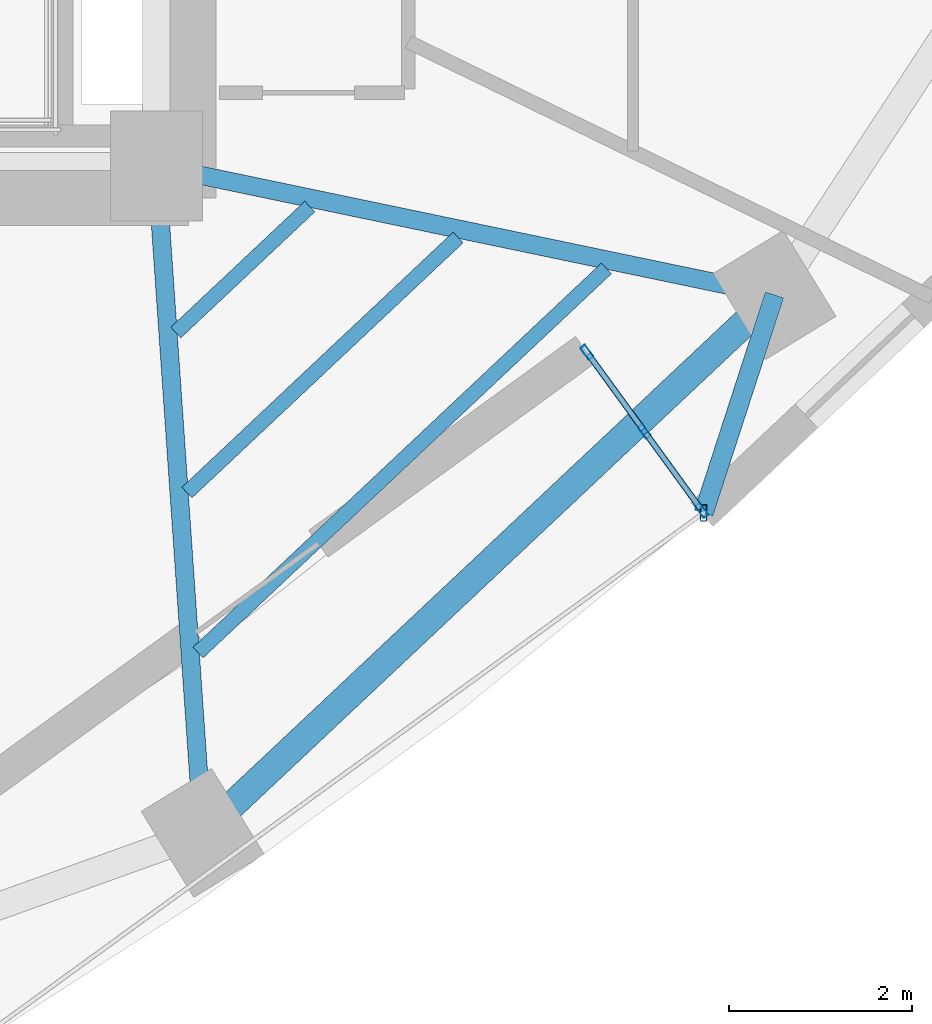
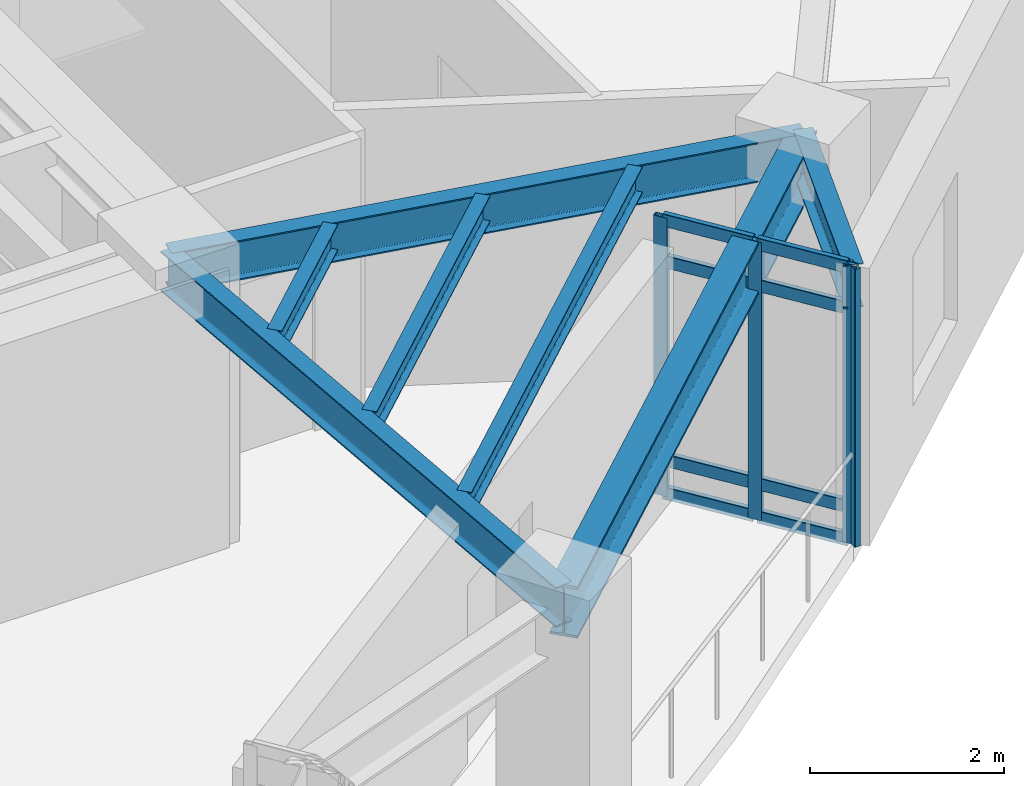
# One storey, part 3 of 11: 12 members, 7 beams, 1 element without a shape of its own.
"""IFC4 building model written with IfcOpenShell, lengths in metres."""

from ifc_helpers import new_model, si_unit, direction, frame, origin, origin_2d, place, context, subcontext, project, spatial, hollow_rectangle, i_section, extrude, material, layer, layer_set, material_profile, profile_set, type_object, element, aggregate, save


model = new_model("IFC4")

# Units and contexts
model_context = context("Model", 3, precision=1e-05, world=origin(), true_north=direction((0.0, 1.0)))
body_context = subcontext(model_context, "Body", "Model", "MODEL_VIEW")
ifc_project = project(units=[si_unit("LENGTHUNIT", "METRE"), si_unit("AREAUNIT", "SQUARE_METRE"), si_unit("VOLUMEUNIT", "CUBIC_METRE"), si_unit("PLANEANGLEUNIT", "RADIAN"), si_unit("MASSUNIT", "GRAM", prefix="KILO")], contexts=[model_context])

# Site, building, storey
site_placement = place(None, origin())
site = spatial("IfcSite", under=ifc_project, at=site_placement, CompositionType="ELEMENT")
building_placement = place(site_placement, origin())
building = spatial("IfcBuilding", under=site, at=building_placement, Name="Ndelora Gate Hotel", CompositionType="ELEMENT")
storey_placement = place(building_placement, frame((0.0, 0.0, 146.0)))
storey = spatial("IfcBuildingStorey", under=building, at=storey_placement, Name="L36", CompositionType="ELEMENT", Elevation=146.0)

# Beams
ifc_material_1 = material(Name="Steel S355", Category="steel")
ifc_material_profile_1 = material_profile(ifc_material_1, i_section(OverallWidth=0.159912109375, OverallDepth=0.330078125, WebThickness=0.007568359375, FlangeThickness=0.011474609375, FilletRadius=0.01806640625, at=origin_2d()), Name="IPE 330")
ifc_profile_set_1 = profile_set([ifc_material_profile_1], Name="Steel S355")
beam_type_1 = type_object("IfcBeamType", Name="BM-JST-330", PredefinedType="JOIST", material=ifc_profile_set_1)
beam_1_placement = place(storey_placement, frame((8.211181640625, -8.4169921875, 3.3349609375), z_axis=(0.728414088998, 0.685137150466, 0.0), x_axis=(-0.685137150466, 0.728414088998, 0.0)))
element("IfcBeam", 1, at=beam_1_placement, inside=storey, type_object=beam_type_1, Name="L36 Secondary Composite Floor Joist IN-7", PredefinedType="JOIST", context=body_context, shape_type="SweptSolid", body=[
    extrude(i_section(OverallWidth=0.159912109375, OverallDepth=0.330078125, WebThickness=0.007568359375, FlangeThickness=0.011474609375, FilletRadius=0.01806640625, at=origin_2d()), origin(), (0.0, 0.0, 1.0), 2.00830078125),
])
beam_2_placement = place(storey_placement, frame((8.33251953125, -10.163818359375, 3.3349609375), z_axis=(0.728369245526, 0.685184823366, 0.0), x_axis=(-0.685184823366, 0.728369245526, 0.0)))
element("IfcBeam", 2, at=beam_2_placement, inside=storey, type_object=beam_type_1, Name="L36 Secondary Composite Floor Joist MID-7", PredefinedType="JOIST", context=body_context, shape_type="SweptSolid", body=[
    extrude(i_section(OverallWidth=0.159912109375, OverallDepth=0.330078125, WebThickness=0.007568359375, FlangeThickness=0.011474609375, FilletRadius=0.01806640625, at=origin_2d()), origin(), (0.0, 0.0, 1.0), 4.06494140625),
])
beam_3_placement = place(storey_placement, frame((8.45361328125, -11.910400390625, 3.3349609375), z_axis=(0.728393161111, 0.68515939959, 0.0), x_axis=(-0.68515939959, 0.728393161111, 0.0)))
element("IfcBeam", 3, at=beam_3_placement, inside=storey, type_object=beam_type_1, Name="L36 Secondary Composite Floor Joist OUT-7", PredefinedType="JOIST", context=body_context, shape_type="SweptSolid", body=[
    extrude(i_section(OverallWidth=0.159912109375, OverallDepth=0.330078125, WebThickness=0.007568359375, FlangeThickness=0.011474609375, FilletRadius=0.01806640625, at=origin_2d()), origin(), (0.0, 0.0, 1.0), 6.121337890625),
])
ifc_material_profile_2 = material_profile(ifc_material_1, i_section(OverallWidth=0.199951171875, OverallDepth=0.5, WebThickness=0.01025390625, FlangeThickness=0.01611328125, FilletRadius=0.02099609375, at=origin_2d()), Name="IPE 500")
ifc_profile_set_2 = profile_set([ifc_material_profile_2], Name="Steel S355")
beam_type_2 = type_object("IfcBeamType", Name="BM-RAD-500", PredefinedType="BEAM", material=ifc_profile_set_2)
beam_4_placement = place(storey_placement, frame((8.0, -6.60009765625, 3.25), z_axis=(0.069137444551, -0.997607144001, 0.0), x_axis=(0.997607144001, 0.069137444551, 0.0)))
element("IfcBeam", 4, at=beam_4_placement, inside=storey, type_object=beam_type_2, Name="L36 Radial Floor Girder 7", PredefinedType="BEAM", context=body_context, shape_type="SweptSolid", body=[
    extrude(i_section(OverallWidth=0.199951171875, OverallDepth=0.5, WebThickness=0.01025390625, FlangeThickness=0.01611328125, FilletRadius=0.02099609375, at=origin_2d()), origin(), (0.0, 0.0, 1.0), 7.295654296875),
])
beam_5_placement = place(storey_placement, frame((8.0, -6.60009765625, 3.25), z_axis=(0.978952706778, -0.204087231083, 0.0), x_axis=(0.204087231083, 0.978952706778, 0.0)))
element("IfcBeam", 5, at=beam_5_placement, inside=storey, type_object=beam_type_2, Name="L36 Radial Floor Girder 8", PredefinedType="BEAM", context=body_context, shape_type="SweptSolid", body=[
    extrude(i_section(OverallWidth=0.199951171875, OverallDepth=0.5, WebThickness=0.01025390625, FlangeThickness=0.01611328125, FilletRadius=0.02099609375, at=origin_2d()), origin(), (0.0, 0.0, 1.0), 6.8916015625),
])
ifc_material_profile_3 = material_profile(ifc_material_1, i_section(OverallWidth=0.2099609375, OverallDepth=0.550048828125, WebThickness=0.010986328125, FlangeThickness=0.01708984375, FilletRadius=0.02392578125, at=origin_2d()), Name="IPE 550")
ifc_profile_set_3 = profile_set([ifc_material_profile_3], Name="Steel S355")
beam_type_3 = type_object("IfcBeamType", Name="BM-RAD-550", PredefinedType="BEAM", material=ifc_profile_set_3)
beam_6_placement = place(storey_placement, frame((14.74658203125, -8.006591796875, 3.22509765625), z_axis=(-0.309075038697, -0.951037654594, 0.0), x_axis=(0.951037654594, -0.309075038697, 0.0)))
element("IfcBeam", 6, at=beam_6_placement, inside=storey, type_object=beam_type_3, Name="L36 Sky-Garden Loggia Column Bracket 3", PredefinedType="BEAM", context=body_context, shape_type="SweptSolid", body=[
    extrude(i_section(OverallWidth=0.2099609375, OverallDepth=0.550048828125, WebThickness=0.010986328125, FlangeThickness=0.01708984375, FilletRadius=0.02392578125, at=origin_2d()), origin(), (0.0, 0.0, 1.0), 2.501708984375),
])
ifc_material_profile_4 = material_profile(ifc_material_1, i_section(OverallWidth=0.300048828125, OverallDepth=0.64990234375, WebThickness=0.01611328125, FlangeThickness=0.031005859375, FilletRadius=0.027099609375, at=origin_2d()), Name="HEB 650")
ifc_profile_set_4 = profile_set([ifc_material_profile_4], Name="Steel S355")
beam_type_4 = type_object("IfcBeamType", Name="BM-RING-650", PredefinedType="SPANDREL", material=ifc_profile_set_4)
beam_7_placement = place(storey_placement, frame((8.50439453125, -13.878173828125, 3.175048828125), z_axis=(0.728399016952, 0.68515317419, 0.0), x_axis=(-0.68515317419, 0.728399016952, 0.0)))
element("IfcBeam", 7, at=beam_7_placement, inside=storey, type_object=beam_type_4, Name="L36 Perimeter Spandrel Girder 7", PredefinedType="SPANDREL", context=body_context, shape_type="SweptSolid", body=[
    extrude(i_section(OverallWidth=0.300048828125, OverallDepth=0.64990234375, WebThickness=0.01611328125, FlangeThickness=0.031005859375, FilletRadius=0.027099609375, at=origin_2d()), origin(), (0.0, 0.0, 1.0), 8.56982421875),
])

# Curtain wall, members
ifc_material_2 = material(Name="Bronze Anodised Unitised Aluminium and Low-E Glass", Category="aluminium")
ifc_layer = layer(ifc_material_2, 0.199951171875)
ifc_layer_set = layer_set([ifc_layer], Name="Bronze Anodised Unitised Aluminium and Low-E Glass")
curtain_wall_type = type_object("IfcCurtainWallType", Name="CW-SYS-3", PredefinedType="NOTDEFINED", material=ifc_layer_set)
curtain_wall_placement = place(storey_placement, origin())
curtain_wall = element("IfcCurtainWall", 8, at=curtain_wall_placement, inside=storey, type_object=curtain_wall_type, Name="L36 Sky-Garden Loggia Side Curtain Wall CW3-2", PredefinedType="NOTDEFINED")
ifc_material_3 = material(Name="Bronze Anodised Aluminium 6063-T6", Category="aluminium")
ifc_material_profile_5 = material_profile(ifc_material_3, hollow_rectangle(XDim=0.06494140625, YDim=0.159912109375, WallThickness=0.00390625, InnerFilletRadius=0.00390625, OuterFilletRadius=0.008056640625, at=origin_2d()), Name="ALU 160x65x4")
ifc_profile_set_5 = profile_set([ifc_material_profile_5], Name="Bronze Anodised Aluminium 6063-T6")
member_type_1 = type_object("IfcMemberType", Name="MB-CW-MUL150", PredefinedType="MULLION", material=ifc_profile_set_5)
member_1_placement = place(storey_placement, frame((13.9541015625, -10.359619140625, -0.00390625), z_axis=(0.0, 0.0, 1.0), x_axis=(-0.809017078969, -0.587785135859, 0.0)))
member_1 = element("IfcMember", 9, at=member_1_placement, type_object=member_type_1, Name="CW3 mullion 1", PredefinedType="MULLION", context=body_context, shape_type="SweptSolid", body=[
    extrude(hollow_rectangle(XDim=0.06494140625, YDim=0.159912109375, WallThickness=0.00390625, InnerFilletRadius=0.00390625, OuterFilletRadius=0.008056640625, at=origin_2d()), origin(), (0.0, 0.0, 1.0), 3.5078125),
])
member_2_placement = place(storey_placement, frame((13.32666015625, -9.495849609375, -0.00390625), z_axis=(0.0, 0.0, 1.0), x_axis=(-0.809017078969, -0.587785135859, 0.0)))
member_2 = element("IfcMember", 10, at=member_2_placement, type_object=member_type_1, Name="CW3 mullion 2", PredefinedType="MULLION", context=body_context, shape_type="SweptSolid", body=[
    extrude(hollow_rectangle(XDim=0.06494140625, YDim=0.159912109375, WallThickness=0.00390625, InnerFilletRadius=0.00390625, OuterFilletRadius=0.008056640625, at=origin_2d()), origin(), (0.0, 0.0, 1.0), 3.5078125),
])
member_3_placement = place(storey_placement, frame((12.69921875, -8.63232421875, -0.00390625), z_axis=(0.0, 0.0, 1.0), x_axis=(-0.809017078969, -0.587785135859, 0.0)))
member_3 = element("IfcMember", 11, at=member_3_placement, type_object=member_type_1, Name="CW3 mullion 3", PredefinedType="MULLION", context=body_context, shape_type="SweptSolid", body=[
    extrude(hollow_rectangle(XDim=0.06494140625, YDim=0.159912109375, WallThickness=0.00390625, InnerFilletRadius=0.00390625, OuterFilletRadius=0.008056640625, at=origin_2d()), origin(), (0.0, 0.0, 1.0), 3.5078125),
])
ifc_material_profile_6 = material_profile(ifc_material_3, hollow_rectangle(XDim=0.070068359375, YDim=0.179931640625, WallThickness=0.0048828125, InnerFilletRadius=0.0048828125, OuterFilletRadius=0.010009765625, at=origin_2d()), Name="ALU 180x70x5")
ifc_profile_set_6 = profile_set([ifc_material_profile_6], Name="Bronze Anodised Aluminium 6063-T6")
member_type_2 = type_object("IfcMemberType", Name="MB-CW-MUL180", PredefinedType="MULLION", material=ifc_profile_set_6)
member_4_placement = place(storey_placement, frame((13.973388671875, -10.3857421875, 0.0), z_axis=(0.0, 0.0, 1.0), x_axis=(1.0, 0.0, 0.0)))
member_4 = element("IfcMember", 12, at=member_4_placement, type_object=member_type_2, Name="L36 Sky-Garden Loggia Corner Mullion Post 2", PredefinedType="MULLION", context=body_context, shape_type="SweptSolid", body=[
    extrude(hollow_rectangle(XDim=0.070068359375, YDim=0.179931640625, WallThickness=0.0048828125, InnerFilletRadius=0.0048828125, OuterFilletRadius=0.010009765625, at=origin_2d()), origin(), (0.0, 0.0, 1.0), 3.5),
])
ifc_material_profile_7 = material_profile(ifc_material_3, hollow_rectangle(XDim=0.06494140625, YDim=0.159912109375, WallThickness=0.00390625, InnerFilletRadius=0.00390625, OuterFilletRadius=0.008056640625, at=origin_2d()), Name="ALU 160x65x4")
ifc_profile_set_7 = profile_set([ifc_material_profile_7], Name="Bronze Anodised Aluminium 6063-T6")
member_type_3 = type_object("IfcMemberType", Name="MB-CW-TRN150", PredefinedType="USERDEFINED", material=ifc_profile_set_7)
member_5_placement = place(storey_placement, frame((13.938720703125, -10.338134765625, 0.032470703125), z_axis=(-0.587842580444, 0.808975339931, 0.0), x_axis=(-0.808975339931, -0.587842580444, 0.0)))
member_5 = element("IfcMember", 13, at=member_5_placement, type_object=member_type_3, Name="CW3 transom 1.1", ObjectType="TRANSOM", PredefinedType="USERDEFINED", context=body_context, shape_type="SweptSolid", body=[
    extrude(hollow_rectangle(XDim=0.06494140625, YDim=0.159912109375, WallThickness=0.00390625, InnerFilletRadius=0.00390625, OuterFilletRadius=0.008056640625, at=origin_2d()), origin(), (0.0, 0.0, 1.0), 1.0146484375),
])
member_6_placement = place(storey_placement, frame((13.938720703125, -10.338134765625, 0.449951171875), z_axis=(-0.587842580444, 0.808975339931, 0.0), x_axis=(-0.808975339931, -0.587842580444, 0.0)))
member_6 = element("IfcMember", 14, at=member_6_placement, type_object=member_type_3, Name="CW3 transom 1.2", ObjectType="TRANSOM", PredefinedType="USERDEFINED", context=body_context, shape_type="SweptSolid", body=[
    extrude(hollow_rectangle(XDim=0.06494140625, YDim=0.159912109375, WallThickness=0.00390625, InnerFilletRadius=0.00390625, OuterFilletRadius=0.008056640625, at=origin_2d()), origin(), (0.0, 0.0, 1.0), 1.0146484375),
])
member_7_placement = place(storey_placement, frame((13.938720703125, -10.338134765625, 2.949951171875), z_axis=(-0.587842580444, 0.808975339931, 0.0), x_axis=(-0.808975339931, -0.587842580444, 0.0)))
member_7 = element("IfcMember", 15, at=member_7_placement, type_object=member_type_3, Name="CW3 transom 1.3", ObjectType="TRANSOM", PredefinedType="USERDEFINED", context=body_context, shape_type="SweptSolid", body=[
    extrude(hollow_rectangle(XDim=0.06494140625, YDim=0.159912109375, WallThickness=0.00390625, InnerFilletRadius=0.00390625, OuterFilletRadius=0.008056640625, at=origin_2d()), origin(), (0.0, 0.0, 1.0), 1.0146484375),
])
member_8_placement = place(storey_placement, frame((13.938720703125, -10.338134765625, 3.467529296875), z_axis=(-0.587842580444, 0.808975339931, 0.0), x_axis=(-0.808975339931, -0.587842580444, 0.0)))
member_8 = element("IfcMember", 16, at=member_8_placement, type_object=member_type_3, Name="CW3 transom 1.4", ObjectType="TRANSOM", PredefinedType="USERDEFINED", context=body_context, shape_type="SweptSolid", body=[
    extrude(hollow_rectangle(XDim=0.06494140625, YDim=0.159912109375, WallThickness=0.00390625, InnerFilletRadius=0.00390625, OuterFilletRadius=0.008056640625, at=origin_2d()), origin(), (0.0, 0.0, 1.0), 1.0146484375),
])
member_9_placement = place(storey_placement, frame((13.311279296875, -9.474365234375, 0.032470703125), z_axis=(-0.587957025258, 0.808892166145, 0.0), x_axis=(-0.808892166145, -0.587957025258, 0.0)))
member_9 = element("IfcMember", 17, at=member_9_placement, type_object=member_type_3, Name="CW3 transom 2.1", ObjectType="TRANSOM", PredefinedType="USERDEFINED", context=body_context, shape_type="SweptSolid", body=[
    extrude(hollow_rectangle(XDim=0.06494140625, YDim=0.159912109375, WallThickness=0.00390625, InnerFilletRadius=0.00390625, OuterFilletRadius=0.008056640625, at=origin_2d()), origin(), (0.0, 0.0, 1.0), 1.014404296875),
])
member_10_placement = place(storey_placement, frame((13.311279296875, -9.474365234375, 0.449951171875), z_axis=(-0.587957025258, 0.808892166145, 0.0), x_axis=(-0.808892166145, -0.587957025258, 0.0)))
member_10 = element("IfcMember", 18, at=member_10_placement, type_object=member_type_3, Name="CW3 transom 2.2", ObjectType="TRANSOM", PredefinedType="USERDEFINED", context=body_context, shape_type="SweptSolid", body=[
    extrude(hollow_rectangle(XDim=0.06494140625, YDim=0.159912109375, WallThickness=0.00390625, InnerFilletRadius=0.00390625, OuterFilletRadius=0.008056640625, at=origin_2d()), origin(), (0.0, 0.0, 1.0), 1.014404296875),
])
member_11_placement = place(storey_placement, frame((13.311279296875, -9.474365234375, 2.949951171875), z_axis=(-0.587957025258, 0.808892166145, 0.0), x_axis=(-0.808892166145, -0.587957025258, 0.0)))
member_11 = element("IfcMember", 19, at=member_11_placement, type_object=member_type_3, Name="CW3 transom 2.3", ObjectType="TRANSOM", PredefinedType="USERDEFINED", context=body_context, shape_type="SweptSolid", body=[
    extrude(hollow_rectangle(XDim=0.06494140625, YDim=0.159912109375, WallThickness=0.00390625, InnerFilletRadius=0.00390625, OuterFilletRadius=0.008056640625, at=origin_2d()), origin(), (0.0, 0.0, 1.0), 1.014404296875),
])
member_12_placement = place(storey_placement, frame((13.311279296875, -9.474365234375, 3.467529296875), z_axis=(-0.587957025258, 0.808892166145, 0.0), x_axis=(-0.808892166145, -0.587957025258, 0.0)))
member_12 = element("IfcMember", 20, at=member_12_placement, type_object=member_type_3, Name="CW3 transom 2.4", ObjectType="TRANSOM", PredefinedType="USERDEFINED", context=body_context, shape_type="SweptSolid", body=[
    extrude(hollow_rectangle(XDim=0.06494140625, YDim=0.159912109375, WallThickness=0.00390625, InnerFilletRadius=0.00390625, OuterFilletRadius=0.008056640625, at=origin_2d()), origin(), (0.0, 0.0, 1.0), 1.014404296875),
])
aggregate(curtain_wall, [member_1, member_2, member_3, member_5, member_6, member_7, member_8, member_9, member_10, member_11, member_12, member_4])

save(model, "model.ifc")
